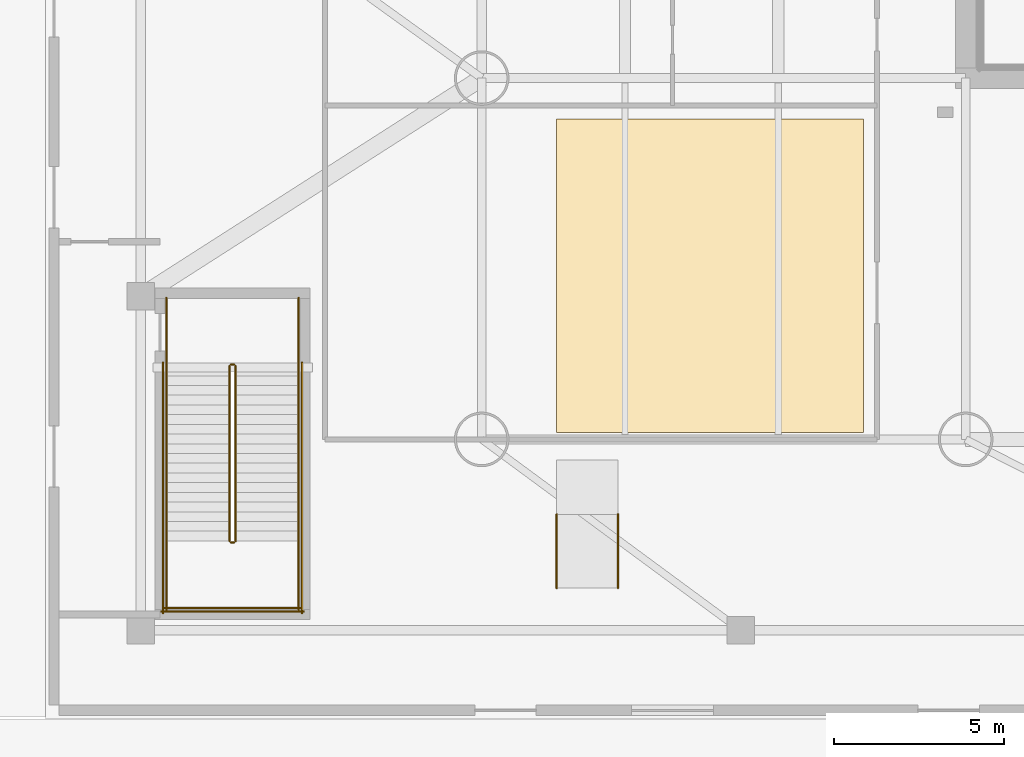
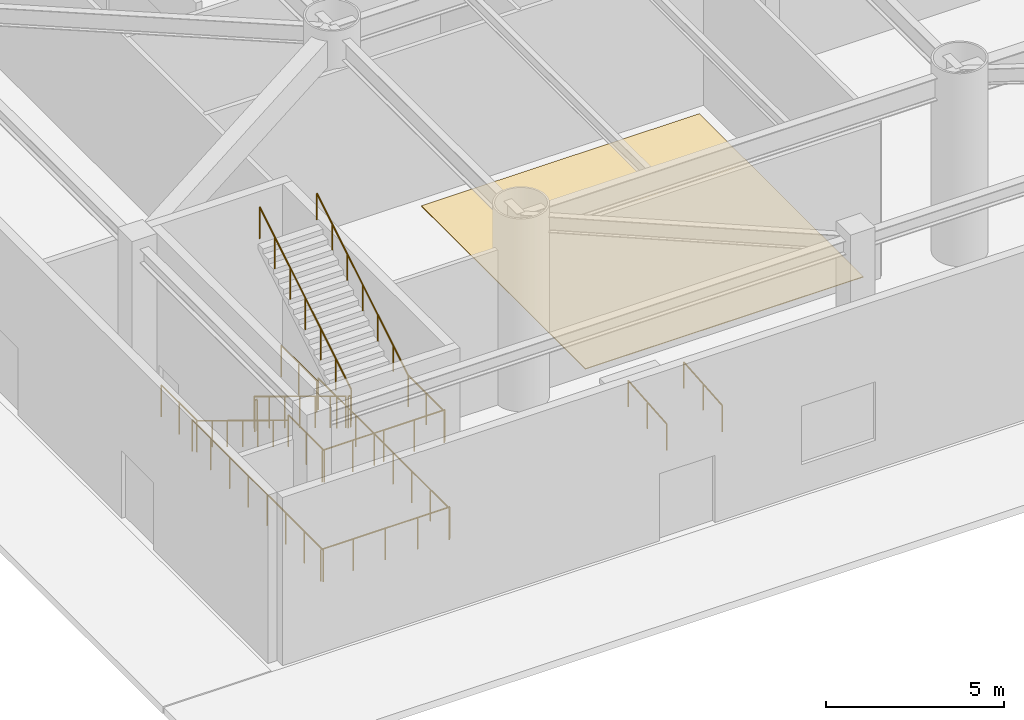
# One storey, part 9 of 15: 16 railings, 1 covering.
"""IFC4 building model written with IfcOpenShell, lengths in metres."""

from ifc_helpers import new_model, si_unit, direction, frame, origin, origin_2d, place, context, subcontext, project, spatial, polyline, circle, outline, extrude, material, layer, layer_set, type_object, element, save


model = new_model("IFC4")

# Units and contexts
model_context = context("Model", 3, precision=1e-05, world=origin(), true_north=direction((0.0, 1.0)))
body_context = subcontext(model_context, "Body", "Model", "MODEL_VIEW")
ifc_project = project(units=[si_unit("LENGTHUNIT", "METRE"), si_unit("AREAUNIT", "SQUARE_METRE"), si_unit("VOLUMEUNIT", "CUBIC_METRE"), si_unit("PLANEANGLEUNIT", "RADIAN"), si_unit("MASSUNIT", "GRAM", prefix="KILO")], contexts=[model_context])

# Site, building, storey
site_placement = place(None, origin())
site = spatial("IfcSite", under=ifc_project, at=site_placement, CompositionType="ELEMENT")
building_placement = place(site_placement, origin())
building = spatial("IfcBuilding", under=site, at=building_placement, Name="Bramvorn Convention Spire", CompositionType="ELEMENT")
storey_placement = place(building_placement, origin())
storey = spatial("IfcBuildingStorey", under=building, at=storey_placement, Name="L00", CompositionType="ELEMENT", Elevation=0.0)

# Covering
ifc_material_1 = material(Name="Honed Dolomitic Limestone Terrazzo Flooring", Category="masonry")
ifc_layer = layer(ifc_material_1, 0.02490234375)
ifc_layer_set = layer_set([ifc_layer], Name="Honed Dolomitic Limestone Terrazzo Flooring - FLR-TERRAZZO-25")
covering_type = type_object("IfcCoveringType", Name="FLR-TERRAZZO-25", PredefinedType="FLOORING", material=ifc_layer_set)
covering_placement = place(storey_placement, origin())
element("IfcCovering", 1, at=covering_placement, inside=storey, type_object=covering_type, Name="L00 Cafe dolomitic terrazzo floor finish", PredefinedType="FLOORING", context=body_context, shape_type="SweptSolid", body=[
    extrude(outline(polyline([(15.0, 8.39990234375), (24.0, 8.39990234375), (24.0, 17.60009765625), (15.0, 17.60009765625), (15.0, 8.39990234375)])), origin(), (0.0, 0.0, 1.0), 0.02490234375),
])

# Railings
ifc_material_2 = material(Name="Painted Steel Balustrade & Guardrail", Category="steel")
railing_type_1 = type_object("IfcRailingType", Name="RL-STAIR-GUARD-1100", PredefinedType="GUARDRAIL", material=ifc_material_2)
railing_1_placement = place(storey_placement, frame((5.39990234375, 10.35009765625, 0.173583984375)))
element("IfcRailing", 2, at=railing_1_placement, inside=storey, type_object=railing_type_1, Name="L00 ST4 stair guard 1", PredefinedType="GUARDRAIL", context=body_context, shape_type="SweptSolid", body=[
    extrude(circle(Radius=0.02392578125, at=origin_2d()), frame((0.0, 0.0, 1.076171875), z_axis=(0.0, -0.853919069452, 0.520405825127), x_axis=(1.0, 0.0, 0.0)), (0.0, 0.0, 1.0), 6.0078125),
    extrude(circle(Radius=0.02099609375, at=origin_2d()), origin(), (0.0, 0.0, 1.0), 1.052001953125),
    extrude(circle(Radius=0.02099609375, at=origin_2d()), frame((0.0, -0.85498046875, 0.52099609375)), (0.0, 0.0, 1.0), 1.052001953125),
    extrude(circle(Radius=0.02099609375, at=origin_2d()), frame((0.0, -1.7099609375, 1.042236328125)), (0.0, 0.0, 1.0), 1.052001953125),
    extrude(circle(Radius=0.02099609375, at=origin_2d()), frame((0.0, -2.56494140625, 1.563232421875)), (0.0, 0.0, 1.0), 1.052001953125),
    extrude(circle(Radius=0.02099609375, at=origin_2d()), frame((0.0, -3.420166015625, 2.084228515625)), (0.0, 0.0, 1.0), 1.052001953125),
    extrude(circle(Radius=0.02099609375, at=origin_2d()), frame((0.0, -4.275146484375, 2.60546875)), (0.0, 0.0, 1.0), 1.052001953125),
    extrude(circle(Radius=0.02099609375, at=origin_2d()), frame((0.0, -5.130126953125, 3.12646484375)), (0.0, 0.0, 1.0), 1.052001953125),
])
railing_2_placement = place(storey_placement, frame((5.449951171875, 5.169921875, 3.300048828125)))
element("IfcRailing", 3, at=railing_2_placement, inside=storey, type_object=railing_type_1, Name="L00 ST4 stair guard 2", PredefinedType="GUARDRAIL", context=body_context, shape_type="SweptSolid", body=[
    extrude(circle(Radius=0.02392578125, at=origin_2d()), frame((0.0, 0.0, 1.076171875), z_axis=(1.0, 0.0, 0.0), x_axis=(0.0, 1.0, 0.0)), (0.0, 0.0, 1.0), 0.080078125),
    extrude(circle(Radius=0.02099609375, at=origin_2d()), origin(), (0.0, 0.0, 1.0), 1.052001953125),
    extrude(circle(Radius=0.02099609375, at=origin_2d()), frame((0.080078125, 0.0, 0.0)), (0.0, 0.0, 1.0), 1.052001953125),
])
for number, where, name in (
    (4, (3.550048828125, 5.219970703125, 3.300048828125), "L00 ST4 stair guard 3"),
    (5, (7.429931640625, 5.219970703125, 3.300048828125), "L00 ST4 stair guard 4"),
):
    element("IfcRailing", number, at=place(storey_placement, frame(where)), inside=storey, type_object=railing_type_1, Name=name, PredefinedType="GUARDRAIL", context=body_context, shape_type="SweptSolid", body=[
        extrude(circle(Radius=0.02392578125, at=origin_2d()), frame((0.0, 0.0, 1.076171875), z_axis=(0.0, -1.0, 0.0), x_axis=(1.0, 0.0, 0.0)), (0.0, 0.0, 1.0), 2.02001953125),
        extrude(circle(Radius=0.02099609375, at=origin_2d()), origin(), (0.0, 0.0, 1.0), 1.052001953125),
        extrude(circle(Radius=0.02099609375, at=origin_2d()), frame((0.0, -1.010009765625, 0.0)), (0.0, 0.0, 1.0), 1.052001953125),
        extrude(circle(Radius=0.02099609375, at=origin_2d()), frame((0.0, -2.02001953125, 0.0)), (0.0, 0.0, 1.0), 1.052001953125),
    ])
railing_3_placement = place(storey_placement, frame((3.5, 3.25, 3.300048828125)))
element("IfcRailing", 6, at=railing_3_placement, inside=storey, type_object=railing_type_1, Name="L00 ST4 stair guard 5", PredefinedType="GUARDRAIL", context=body_context, shape_type="SweptSolid", body=[
    extrude(circle(Radius=0.02392578125, at=origin_2d()), frame((0.0, 0.0, 1.076171875), z_axis=(1.0, 0.0, 0.0), x_axis=(0.0, 1.0, 0.0)), (0.0, 0.0, 1.0), 3.97998046875),
    extrude(circle(Radius=0.02099609375, at=origin_2d()), origin(), (0.0, 0.0, 1.0), 1.052001953125),
    extrude(circle(Radius=0.02099609375, at=origin_2d()), frame((0.9951171875, 0.0, 0.0)), (0.0, 0.0, 1.0), 1.052001953125),
    extrude(circle(Radius=0.02099609375, at=origin_2d()), frame((1.989990234375, 0.0, 0.0)), (0.0, 0.0, 1.0), 1.052001953125),
    extrude(circle(Radius=0.02099609375, at=origin_2d()), frame((2.98486328125, 0.0, 0.0)), (0.0, 0.0, 1.0), 1.052001953125),
    extrude(circle(Radius=0.02099609375, at=origin_2d()), frame((3.97998046875, 0.0, 0.0)), (0.0, 0.0, 1.0), 1.052001953125),
])
railing_4_placement = place(storey_placement, frame((5.580078125, 5.219970703125, 3.4736328125)))
element("IfcRailing", 7, at=railing_4_placement, inside=storey, type_object=railing_type_1, Name="L00 ST4 stair guard 6", PredefinedType="GUARDRAIL", context=body_context, shape_type="SweptSolid", body=[
    extrude(circle(Radius=0.02392578125, at=origin_2d()), frame((0.0, 0.0, 1.076171875), z_axis=(0.0, 0.853919069452, 0.520405825127), x_axis=(-1.0, 0.0, 0.0)), (0.0, 0.0, 1.0), 6.0078125),
    extrude(circle(Radius=0.02099609375, at=origin_2d()), origin(), (0.0, 0.0, 1.0), 1.052001953125),
    extrude(circle(Radius=0.02099609375, at=origin_2d()), frame((0.0, 0.85498046875, 0.52099609375)), (0.0, 0.0, 1.0), 1.052001953125),
    extrude(circle(Radius=0.02099609375, at=origin_2d()), frame((0.0, 1.7099609375, 1.042236328125)), (0.0, 0.0, 1.0), 1.052001953125),
    extrude(circle(Radius=0.02099609375, at=origin_2d()), frame((0.0, 2.56494140625, 1.563232421875)), (0.0, 0.0, 1.0), 1.052001953125),
    extrude(circle(Radius=0.02099609375, at=origin_2d()), frame((0.0, 3.420166015625, 2.084228515625)), (0.0, 0.0, 1.0), 1.052001953125),
    extrude(circle(Radius=0.02099609375, at=origin_2d()), frame((0.0, 4.275146484375, 2.60546875)), (0.0, 0.0, 1.0), 1.052001953125),
    extrude(circle(Radius=0.02099609375, at=origin_2d()), frame((0.0, 5.130126953125, 3.12646484375)), (0.0, 0.0, 1.0), 1.052001953125),
])
railing_5_placement = place(storey_placement, frame((5.449951171875, 10.39990234375, 0.0)))
element("IfcRailing", 8, at=railing_5_placement, inside=storey, type_object=railing_type_1, Name="L00 ST4 stair guard 7", PredefinedType="GUARDRAIL", context=body_context, shape_type="SweptSolid", body=[
    extrude(circle(Radius=0.02392578125, at=origin_2d()), frame((0.0, 0.0, 1.076171875), z_axis=(1.0, 0.0, 0.0), x_axis=(0.0, 1.0, 0.0)), (0.0, 0.0, 1.0), 0.080078125),
    extrude(circle(Radius=0.02099609375, at=origin_2d()), origin(), (0.0, 0.0, 1.0), 1.052001953125),
    extrude(circle(Radius=0.02099609375, at=origin_2d()), frame((0.080078125, 0.0, 0.0)), (0.0, 0.0, 1.0), 1.052001953125),
])
for number, where, name in (
    (9, (3.550048828125, 12.35009765625, 0.0), "L00 ST4 stair guard 8"),
    (10, (7.429931640625, 12.35009765625, 0.0), "L00 ST4 stair guard 9"),
):
    element("IfcRailing", number, at=place(storey_placement, frame(where)), inside=storey, type_object=railing_type_1, Name=name, PredefinedType="GUARDRAIL", context=body_context, shape_type="SweptSolid", body=[
        extrude(circle(Radius=0.02392578125, at=origin_2d()), frame((0.0, 0.0, 1.076171875), z_axis=(0.0, -1.0, 0.0), x_axis=(1.0, 0.0, 0.0)), (0.0, 0.0, 1.0), 2.0),
        extrude(circle(Radius=0.02099609375, at=origin_2d()), origin(), (0.0, 0.0, 1.0), 1.052001953125),
        extrude(circle(Radius=0.02099609375, at=origin_2d()), frame((0.0, -1.0, 0.0)), (0.0, 0.0, 1.0), 1.052001953125),
        extrude(circle(Radius=0.02099609375, at=origin_2d()), frame((0.0, -2.0, 0.0)), (0.0, 0.0, 1.0), 1.052001953125),
    ])
for number, where, name in (
    (11, (3.449951171875, 10.449951171875, 0.0), "L00 ST4 stair guard 10"),
    (12, (7.530029296875, 10.449951171875, 0.0), "L00 ST4 stair guard 11"),
):
    element("IfcRailing", number, at=place(storey_placement, frame(where)), inside=storey, type_object=railing_type_1, Name=name, PredefinedType="GUARDRAIL", context=body_context, shape_type="SweptSolid", body=[
        extrude(circle(Radius=0.02392578125, at=origin_2d()), frame((0.0, 0.0, 1.076171875), z_axis=(0.0, -1.0, 0.0), x_axis=(1.0, 0.0, 0.0)), (0.0, 0.0, 1.0), 7.349853515625),
        extrude(circle(Radius=0.02099609375, at=origin_2d()), origin(), (0.0, 0.0, 1.0), 1.052001953125),
        extrude(circle(Radius=0.02099609375, at=origin_2d()), frame((0.0, -1.050048828125, 0.0)), (0.0, 0.0, 1.0), 1.052001953125),
        extrude(circle(Radius=0.02099609375, at=origin_2d()), frame((0.0, -2.099853515625, 0.0)), (0.0, 0.0, 1.0), 1.052001953125),
        extrude(circle(Radius=0.02099609375, at=origin_2d()), frame((0.0, -3.14990234375, 0.0)), (0.0, 0.0, 1.0), 1.052001953125),
        extrude(circle(Radius=0.02099609375, at=origin_2d()), frame((0.0, -4.199951171875, 0.0)), (0.0, 0.0, 1.0), 1.052001953125),
        extrude(circle(Radius=0.02099609375, at=origin_2d()), frame((0.0, -5.25, 0.0)), (0.0, 0.0, 1.0), 1.052001953125),
        extrude(circle(Radius=0.02099609375, at=origin_2d()), frame((0.0, -6.2998046875, 0.0)), (0.0, 0.0, 1.0), 1.052001953125),
        extrude(circle(Radius=0.02099609375, at=origin_2d()), frame((0.0, -7.349853515625, 0.0)), (0.0, 0.0, 1.0), 1.052001953125),
    ])
railing_6_placement = place(storey_placement, frame((3.39990234375, 3.14990234375, 0.0)))
element("IfcRailing", 13, at=railing_6_placement, inside=storey, type_object=railing_type_1, Name="L00 ST4 stair guard 12", PredefinedType="GUARDRAIL", context=body_context, shape_type="SweptSolid", body=[
    extrude(circle(Radius=0.02392578125, at=origin_2d()), frame((0.0, 0.0, 1.076171875), z_axis=(1.0, 0.0, 0.0), x_axis=(0.0, 1.0, 0.0)), (0.0, 0.0, 1.0), 4.18017578125),
    extrude(circle(Radius=0.02099609375, at=origin_2d()), origin(), (0.0, 0.0, 1.0), 1.052001953125),
    extrude(circle(Radius=0.02099609375, at=origin_2d()), frame((1.044921875, 0.0, 0.0)), (0.0, 0.0, 1.0), 1.052001953125),
    extrude(circle(Radius=0.02099609375, at=origin_2d()), frame((2.090087890625, 0.0, 0.0)), (0.0, 0.0, 1.0), 1.052001953125),
    extrude(circle(Radius=0.02099609375, at=origin_2d()), frame((3.13525390625, 0.0, 0.0)), (0.0, 0.0, 1.0), 1.052001953125),
    extrude(circle(Radius=0.02099609375, at=origin_2d()), frame((4.18017578125, 0.0, 0.0)), (0.0, 0.0, 1.0), 1.052001953125),
])
ifc_material_3 = material(Name="Brushed Bronze Tubular Handrail", Category="aluminium")
railing_type_2 = type_object("IfcRailingType", Name="RL-STAIR-HR-920", PredefinedType="HANDRAIL", material=ifc_material_3)
railing_7_placement = place(storey_placement, frame((3.550048828125, 10.35009765625, 0.173583984375)))
element("IfcRailing", 14, at=railing_7_placement, inside=storey, type_object=railing_type_2, Name="L00 ST4 stair handrail 1", PredefinedType="HANDRAIL", context=body_context, shape_type="SweptSolid", body=[
    extrude(circle(Radius=0.02392578125, at=origin_2d()), frame((0.0, 0.0, 0.89599609375), z_axis=(0.0, -0.853919069452, 0.520405825127), x_axis=(1.0, 0.0, 0.0)), (0.0, 0.0, 1.0), 6.0078125),
    extrude(circle(Radius=0.02099609375, at=origin_2d()), origin(), (0.0, 0.0, 1.0), 0.871826171875),
    extrude(circle(Radius=0.02099609375, at=origin_2d()), frame((0.0, -0.85498046875, 0.52099609375)), (0.0, 0.0, 1.0), 0.871826171875),
    extrude(circle(Radius=0.02099609375, at=origin_2d()), frame((0.0, -1.7099609375, 1.042236328125)), (0.0, 0.0, 1.0), 0.871826171875),
    extrude(circle(Radius=0.02099609375, at=origin_2d()), frame((0.0, -2.56494140625, 1.563232421875)), (0.0, 0.0, 1.0), 0.871826171875),
    extrude(circle(Radius=0.02099609375, at=origin_2d()), frame((0.0, -3.420166015625, 2.084228515625)), (0.0, 0.0, 1.0), 0.871826171875),
    extrude(circle(Radius=0.02099609375, at=origin_2d()), frame((0.0, -4.275146484375, 2.60546875)), (0.0, 0.0, 1.0), 0.871826171875),
    extrude(circle(Radius=0.02099609375, at=origin_2d()), frame((0.0, -5.130126953125, 3.12646484375)), (0.0, 0.0, 1.0), 0.871826171875),
])
railing_8_placement = place(storey_placement, frame((7.429931640625, 5.219970703125, 3.4736328125)))
element("IfcRailing", 15, at=railing_8_placement, inside=storey, type_object=railing_type_2, Name="L00 ST4 stair handrail 2", PredefinedType="HANDRAIL", context=body_context, shape_type="SweptSolid", body=[
    extrude(circle(Radius=0.02392578125, at=origin_2d()), frame((0.0, 0.0, 0.89599609375), z_axis=(0.0, 0.853919069452, 0.520405825127), x_axis=(-1.0, 0.0, 0.0)), (0.0, 0.0, 1.0), 6.0078125),
    extrude(circle(Radius=0.02099609375, at=origin_2d()), origin(), (0.0, 0.0, 1.0), 0.871826171875),
    extrude(circle(Radius=0.02099609375, at=origin_2d()), frame((0.0, 0.85498046875, 0.52099609375)), (0.0, 0.0, 1.0), 0.871826171875),
    extrude(circle(Radius=0.02099609375, at=origin_2d()), frame((0.0, 1.7099609375, 1.042236328125)), (0.0, 0.0, 1.0), 0.871826171875),
    extrude(circle(Radius=0.02099609375, at=origin_2d()), frame((0.0, 2.56494140625, 1.563232421875)), (0.0, 0.0, 1.0), 0.871826171875),
    extrude(circle(Radius=0.02099609375, at=origin_2d()), frame((0.0, 3.420166015625, 2.084228515625)), (0.0, 0.0, 1.0), 0.871826171875),
    extrude(circle(Radius=0.02099609375, at=origin_2d()), frame((0.0, 4.275146484375, 2.60546875)), (0.0, 0.0, 1.0), 0.871826171875),
    extrude(circle(Radius=0.02099609375, at=origin_2d()), frame((0.0, 5.130126953125, 3.12646484375)), (0.0, 0.0, 1.0), 0.871826171875),
])
for number, where, name in (
    (16, (15.0, 3.840087890625, 0.0), "L00 Accessible Ramp west handrail"),
    (17, (16.800048828125, 3.840087890625, 0.0), "L00 Accessible Ramp east handrail"),
):
    element("IfcRailing", number, at=place(storey_placement, frame(where)), inside=storey, type_object=railing_type_2, Name=name, PredefinedType="HANDRAIL", context=body_context, shape_type="SweptSolid", body=[
        extrude(circle(Radius=0.02392578125, at=origin_2d()), frame((0.0, 0.0, 0.89599609375), z_axis=(0.0, 0.996548088387, 0.08301751341), x_axis=(-1.0, 0.0, 0.0)), (0.0, 0.0, 1.0), 2.16748046875),
        extrude(circle(Radius=0.02099609375, at=origin_2d()), origin(), (0.0, 0.0, 1.0), 0.871826171875),
        extrude(circle(Radius=0.02099609375, at=origin_2d()), frame((0.0, 1.080078125, 0.08984375)), (0.0, 0.0, 1.0), 0.871826171875),
        extrude(circle(Radius=0.02099609375, at=origin_2d()), frame((0.0, 2.159912109375, 0.179931640625)), (0.0, 0.0, 1.0), 0.871826171875),
    ])

save(model, "model.ifc")
